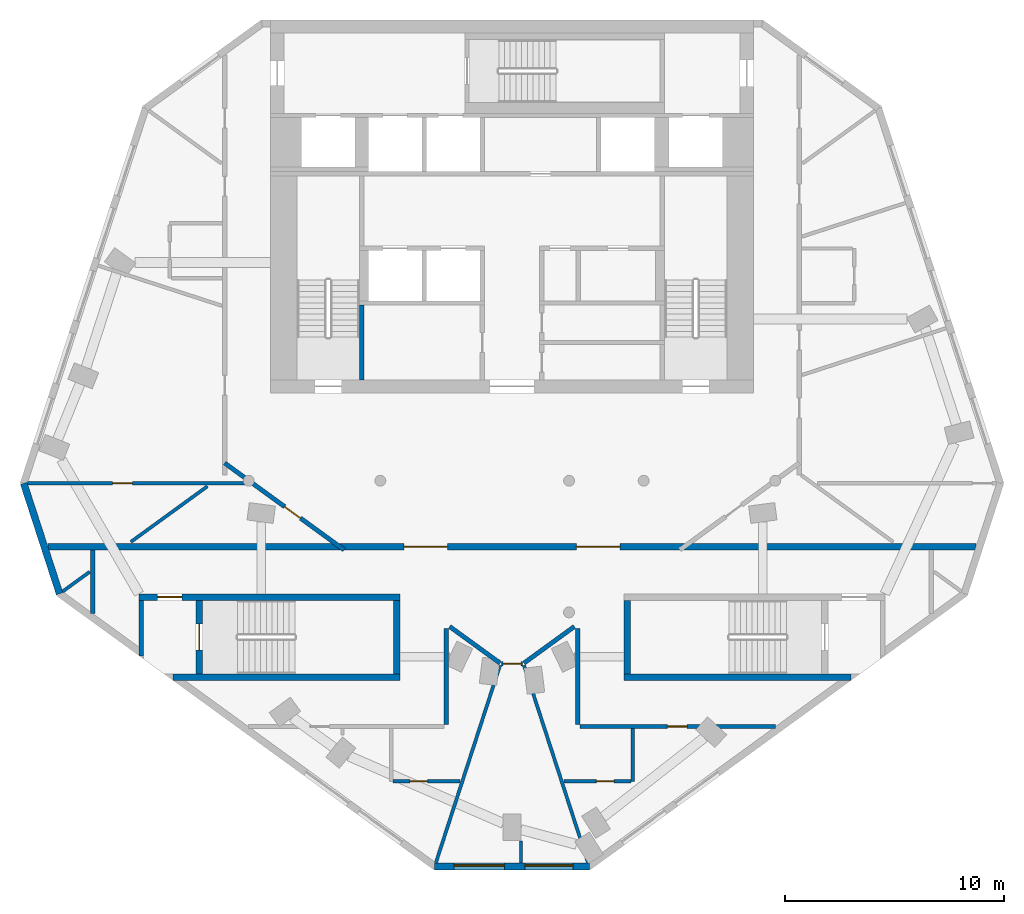
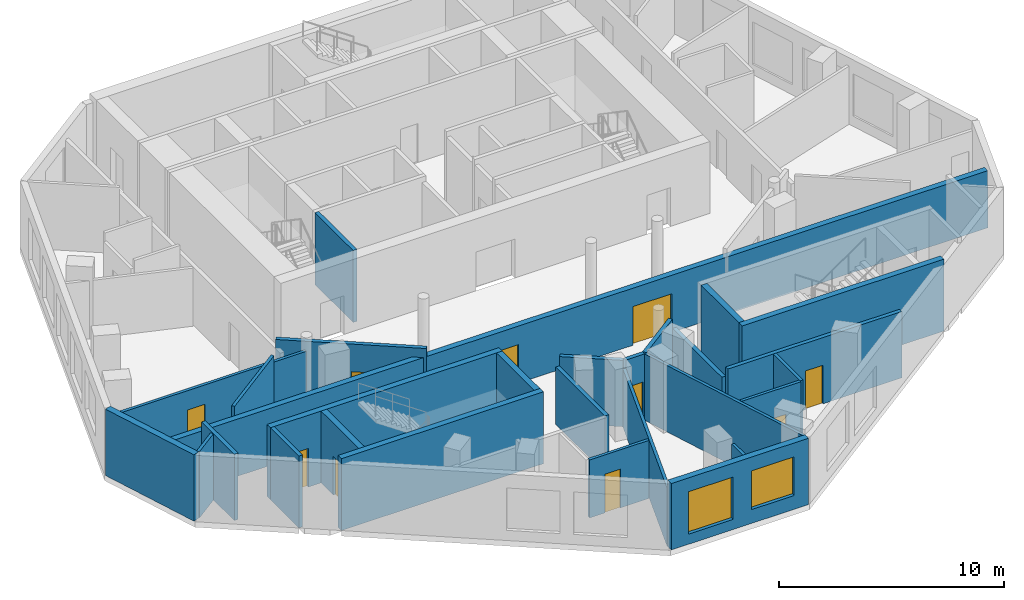
# One storey, part 2 of 8: 28 walls, 10 doors, 2 windows, 12 openings.
"""IFC4 building model written with IfcOpenShell, lengths in metres."""

from ifc_helpers import new_model, si_unit, direction, frame, frame_2d, origin, place, context, subcontext, project, spatial, rectangle, extrude, material, layer, layer_set, type_object, element, fill, save


model = new_model("IFC4")

# Units and contexts
model_context = context("Model", 3, precision=1e-05, world=origin(), true_north=direction((0.0, 1.0)))
body_context = subcontext(model_context, "Body", "Model", "MODEL_VIEW")
ifc_project = project(units=[si_unit("LENGTHUNIT", "METRE"), si_unit("AREAUNIT", "SQUARE_METRE"), si_unit("VOLUMEUNIT", "CUBIC_METRE"), si_unit("PLANEANGLEUNIT", "RADIAN"), si_unit("MASSUNIT", "GRAM", prefix="KILO")], contexts=[model_context])

# Site, building, storey
site_placement = place(None, origin())
site = spatial("IfcSite", under=ifc_project, at=site_placement, CompositionType="ELEMENT")
building_placement = place(site_placement, origin())
building = spatial("IfcBuilding", under=site, at=building_placement, Name="White Candle Pilgrim Tower", CompositionType="ELEMENT")
storey_placement = place(building_placement, frame((0.0, 0.0, 310.0)))
storey = spatial("IfcBuildingStorey", under=building, at=storey_placement, Name="L73", CompositionType="ELEMENT", Elevation=310.0)

# Walls
ifc_material_1 = material(Name="Concrete C40/50", Category="concrete")
ifc_layer_1 = layer(ifc_material_1, 0.199951171875)
ifc_layer_set_1 = layer_set([ifc_layer_1], Name="Core wall 200 mm Concrete C40/50")
wall_type_1 = type_object("IfcWallType", Name="Core wall 200 mm Concrete C40/50", PredefinedType="SHEAR", material=ifc_layer_set_1)
wall_1_placement = place(storey_placement, frame((53.10009765625, 59.023193359375, 0.0), z_axis=(0.0, 0.0, 1.0), x_axis=(0.0, 1.0, 0.0)))
element("IfcWall", 1, at=wall_1_placement, inside=storey, type_object=wall_type_1, Name="WL-L73-C07", PredefinedType="SHEAR", context=body_context, shape_type="SweptSolid", body=[
    extrude(rectangle(XDim=2.52685546875, YDim=0.199951171875, at=frame_2d((1.263427734375, 0.0))), origin(), (0.0, 0.0, 1.0), 3.89990234375),
])
ifc_material_2 = material(Name="Gypsum board on steel studs", Category="steel")
ifc_layer_2 = layer(ifc_material_2, 0.199951171875)
ifc_layer_set_2 = layer_set([ifc_layer_2], Name="Corridor wall 200 mm EI 45")
wall_type_2 = type_object("IfcWallType", Name="Corridor wall 200 mm EI 45", PredefinedType="PARTITIONING", material=ifc_layer_set_2)
wall_2_placement = place(storey_placement, frame((50.89990234375, 60.9443359375, 0.0), z_axis=(0.0, 0.0, 1.0), x_axis=(0.0, 1.0, 0.0)))
element("IfcWall", 2, at=wall_2_placement, inside=storey, type_object=wall_type_2, Name="WL-L73-P002", PredefinedType="PARTITIONING", context=body_context, shape_type="SweptSolid", body=[
    extrude(rectangle(XDim=2.90576171875, YDim=0.199951171875, at=frame_2d((1.452880859375, 0.0))), origin(), (0.0, 0.0, 1.0), 3.60009765625),
])

# Wall, opening, door
wall_3_placement = place(storey_placement, frame((62.3486328125, 63.85009765625, 0.0), z_axis=(0.0, 0.0, 1.0), x_axis=(-0.809033820778, 0.587762092038, 0.0)))
wall_3 = element("IfcWall", 3, at=wall_3_placement, inside=storey, type_object=wall_type_2, Name="WL-L73-P003", PredefinedType="PARTITIONING", context=body_context, shape_type="SweptSolid", body=[
    extrude(rectangle(XDim=6.73486328125, YDim=0.199951171875, at=frame_2d((3.367431640625, 0.0))), origin(), (0.0, 0.0, 1.0), 3.60009765625),
])
opening_1_placement = place(wall_3_placement, frame((2.44970703125, 0.0, 0.0)))
opening_1 = element("IfcOpeningElement", 4, at=opening_1_placement, cuts=wall_3, Name="Opening T22-119", PredefinedType="OPENING", context=body_context, shape_type="SweptSolid", body=[
    extrude(rectangle(XDim=0.89990234375, YDim=2.10009765625, at=frame_2d((0.449951171875, 1.050048828125))), frame((0.0, 0.10986328125, 0.0), z_axis=(0.0, -1.0, 0.0), x_axis=(1.0, 0.0, 0.0)), (0.0, 0.0, 1.0), 0.219970703125),
])
ifc_material_3 = material(Name="Steel door leaf", Category="steel")
door_type_1 = type_object("IfcDoorType", Name="Fire door 900 x 2100 EI 30", OperationType="NOTDEFINED", PredefinedType="DOOR", material=ifc_material_3)
door_1_placement = place(opening_1_placement, origin())
door_1 = element("IfcDoor", 5, at=door_1_placement, inside=storey, type_object=door_type_1, Name="Door T22-119", OperationType="SINGLE_SWING_LEFT", OverallHeight=2.10009765625, OverallWidth=0.89990234375, PredefinedType="DOOR", context=body_context, shape_type="SweptSolid", body=[
    extrude(rectangle(XDim=0.89990234375, YDim=2.10009765625, at=frame_2d((0.449951171875, 1.050048828125))), frame((0.0, 0.02490234375, 0.0), z_axis=(0.0, -1.0, 0.0), x_axis=(1.0, 0.0, 0.0)), (0.0, 0.0, 1.0), 0.050048828125),
])
fill(opening_1, door_1)

wall_4_placement = place(storey_placement, frame((82.019287109375, 55.800048828125, 0.0), z_axis=(0.0, 0.0, 1.0), x_axis=(-1.0, 0.0, 0.0)))
wall_4 = element("IfcWall", 6, at=wall_4_placement, inside=storey, type_object=wall_type_2, Name="WL-L73-P008", PredefinedType="PARTITIONING", context=body_context, shape_type="SweptSolid", body=[
    extrude(rectangle(XDim=8.919189453125, YDim=0.199951171875, at=frame_2d((4.45947265625, 0.0))), origin(), (0.0, 0.0, 1.0), 3.60009765625),
])
opening_2_placement = place(wall_4_placement, frame((4.0419921875, 0.0, 0.0)))
opening_2 = element("IfcOpeningElement", 7, at=opening_2_placement, cuts=wall_4, Name="Opening T22-106", PredefinedType="OPENING", context=body_context, shape_type="SweptSolid", body=[
    extrude(rectangle(XDim=0.89990234375, YDim=2.10009765625, at=frame_2d((0.449951171875, 1.050048828125))), frame((0.0, 0.10986328125, 0.0), z_axis=(0.0, -1.0, 0.0), x_axis=(1.0, 0.0, 0.0)), (0.0, 0.0, 1.0), 0.219970703125),
])
door_2_placement = place(opening_2_placement, origin())
door_2 = element("IfcDoor", 8, at=door_2_placement, inside=storey, type_object=door_type_1, Name="Door T22-106", OperationType="SINGLE_SWING_RIGHT", OverallHeight=2.10009765625, OverallWidth=0.89990234375, PredefinedType="DOOR", context=body_context, shape_type="SweptSolid", body=[
    extrude(rectangle(XDim=0.89990234375, YDim=2.10009765625, at=frame_2d((0.449951171875, 1.050048828125))), frame((0.0, 0.02490234375, 0.0), z_axis=(0.0, -1.0, 0.0), x_axis=(1.0, 0.0, 0.0)), (0.0, 0.0, 1.0), 0.050048828125),
])
fill(opening_2, door_2)

# Walls
wall_5_placement = place(storey_placement, frame((73.0, 55.89990234375, 0.0), z_axis=(0.0, 0.0, 1.0), x_axis=(0.0, 1.0, 0.0)))
element("IfcWall", 9, at=wall_5_placement, inside=storey, type_object=wall_type_2, Name="WL-L73-P009", PredefinedType="PARTITIONING", context=body_context, shape_type="SweptSolid", body=[
    extrude(rectangle(XDim=4.37451171875, YDim=0.199951171875, at=frame_2d((2.187255859375, 0.0))), origin(), (0.0, 0.0, 1.0), 3.10009765625),
])
wall_6_placement = place(storey_placement, frame((72.84130859375, 60.355224609375, 0.0), z_axis=(0.0, 0.0, 1.0), x_axis=(-0.80904479074, -0.587746991976, 0.0)))
element("IfcWall", 10, at=wall_6_placement, inside=storey, type_object=wall_type_2, Name="WL-L73-P010", PredefinedType="PARTITIONING", context=body_context, shape_type="SweptSolid", body=[
    extrude(rectangle(XDim=2.83740234375, YDim=0.199951171875, at=frame_2d((1.418701171875, 0.0))), origin(), (0.0, 0.0, 1.0), 3.60009765625),
])

# Wall, opening, door
wall_7_placement = place(storey_placement, frame((70.48681640625, 58.668212890625, 0.0), z_axis=(0.0, 0.0, 1.0), x_axis=(-1.0, 0.0, 0.0)))
wall_7 = element("IfcWall", 11, at=wall_7_placement, inside=storey, type_object=wall_type_2, Name="WL-L73-P011", PredefinedType="PARTITIONING", context=body_context, shape_type="SweptSolid", body=[
    extrude(rectangle(XDim=0.9736328125, YDim=0.199951171875, at=frame_2d((0.48681640625, 0.0))), origin(), (0.0, 0.0, 1.0), 3.60009765625),
])
opening_3_placement = place(wall_7_placement, frame((0.0869140625, 0.0, 0.0)))
opening_3 = element("IfcOpeningElement", 12, at=opening_3_placement, cuts=wall_7, Name="Opening T22-104", PredefinedType="OPENING", context=body_context, shape_type="SweptSolid", body=[
    extrude(rectangle(XDim=0.800048828125, YDim=2.10009765625, at=frame_2d((0.39990234375, 1.050048828125))), frame((0.0, 0.10986328125, 0.0), z_axis=(0.0, -1.0, 0.0), x_axis=(1.0, 0.0, 0.0)), (0.0, 0.0, 1.0), 0.219970703125),
])
door_type_2 = type_object("IfcDoorType", Name="Fire door 800 x 2100 EI 30", OperationType="NOTDEFINED", PredefinedType="DOOR", material=ifc_material_3)
door_3_placement = place(opening_3_placement, origin())
door_3 = element("IfcDoor", 13, at=door_3_placement, inside=storey, type_object=door_type_2, Name="Door T22-104", OperationType="SINGLE_SWING_RIGHT", OverallHeight=2.10009765625, OverallWidth=0.800048828125, PredefinedType="DOOR", context=body_context, shape_type="SweptSolid", body=[
    extrude(rectangle(XDim=0.800048828125, YDim=2.10009765625, at=frame_2d((0.39990234375, 1.050048828125))), frame((0.0, 0.02490234375, 0.0), z_axis=(0.0, -1.0, 0.0), x_axis=(1.0, 0.0, 0.0)), (0.0, 0.0, 1.0), 0.050048828125),
])
fill(opening_3, door_3)

# Walls
wall_8_placement = place(storey_placement, frame((69.454345703125, 58.6875, 0.0), z_axis=(0.0, 0.0, 1.0), x_axis=(-0.80904479074, 0.587746991976, 0.0)))
element("IfcWall", 14, at=wall_8_placement, inside=storey, type_object=wall_type_2, Name="WL-L73-P012", PredefinedType="PARTITIONING", context=body_context, shape_type="SweptSolid", body=[
    extrude(rectangle(XDim=2.83740234375, YDim=0.199951171875, at=frame_2d((1.418701171875, 0.0))), origin(), (0.0, 0.0, 1.0), 3.60009765625),
])
wall_9_placement = place(storey_placement, frame((67.0, 60.2744140625, 0.0), z_axis=(0.0, 0.0, 1.0), x_axis=(0.0, -1.0, 0.0)))
element("IfcWall", 15, at=wall_9_placement, inside=storey, type_object=wall_type_2, Name="WL-L73-P013", PredefinedType="PARTITIONING", context=body_context, shape_type="SweptSolid", body=[
    extrude(rectangle(XDim=4.37451171875, YDim=0.199951171875, at=frame_2d((2.187255859375, 0.0))), origin(), (0.0, 0.0, 1.0), 3.10009765625),
])
ifc_material_4 = material(Name="Precast concrete C40/50", Category="concrete")
ifc_layer_3 = layer(ifc_material_4, 0.320068359375)
ifc_layer_set_3 = layer_set([ifc_layer_3], Name="Facade wall EW1 precast concrete C40/50 pier wall with timber-lined reveals")
wall_type_3 = type_object("IfcWallType", Name="Facade wall EW1 precast concrete C40/50 pier wall with timber-lined reveals", PredefinedType="SOLIDWALL", material=ifc_layer_set_3)
wall_10_placement = place(storey_placement, frame((47.744140625, 66.8837890625, 0.0), z_axis=(0.0, 0.0, 1.0), x_axis=(0.30904851291, -0.951046274725, 0.0)))
element("IfcWall", 16, at=wall_10_placement, inside=storey, type_object=wall_type_3, Name="Facade wall L73 W chamfer", PredefinedType="SOLIDWALL", context=body_context, shape_type="SweptSolid", body=[
    extrude(rectangle(XDim=5.291259765625, YDim=0.320068359375, at=frame_2d((2.6455078125, 0.0))), origin(), (0.0, 0.0, 1.0), 3.60009765625),
])

# Wall, openings, windows
wall_11_placement = place(storey_placement, frame((66.478515625, 49.42822265625, 0.0), z_axis=(0.0, 0.0, 1.0), x_axis=(1.0, 0.0, 0.0)))
wall_11 = element("IfcWall", 17, at=wall_11_placement, inside=storey, type_object=wall_type_3, Name="Facade wall L73 S chamfer", PredefinedType="SOLIDWALL", context=body_context, shape_type="SweptSolid", body=[
    extrude(rectangle(XDim=7.04296875, YDim=0.320068359375, at=frame_2d((3.521484375, 0.0))), origin(), (0.0, 0.0, 1.0), 3.60009765625),
])
opening_4_placement = place(wall_11_placement, frame((0.87158203125, 0.0, 0.550048828125)))
opening_4 = element("IfcOpeningElement", 18, at=opening_4_placement, cuts=wall_11, Name="Opening W6", PredefinedType="OPENING", context=body_context, shape_type="SweptSolid", body=[
    extrude(rectangle(XDim=2.300048828125, YDim=2.300048828125, at=frame_2d((1.14990234375, 1.14990234375))), frame((0.0, 0.169921875, 0.0), z_axis=(0.0, -1.0, 0.0), x_axis=(1.0, 0.0, 0.0)), (0.0, 0.0, 1.0), 0.340087890625),
])
opening_5_placement = place(wall_11_placement, frame((4.106689453125, 0.0, 0.75)))
opening_5 = element("IfcOpeningElement", 19, at=opening_5_placement, cuts=wall_11, Name="Opening W4", PredefinedType="OPENING", context=body_context, shape_type="SweptSolid", body=[
    extrude(rectangle(XDim=2.199951171875, YDim=2.10009765625, at=frame_2d((1.10009765625, 1.050048828125))), frame((0.0, 0.169921875, 0.0), z_axis=(0.0, -1.0, 0.0), x_axis=(1.0, 0.0, 0.0)), (0.0, 0.0, 1.0), 0.340087890625),
])
ifc_material_5 = material(Name="Timber frame with triple glazing", Category="wood")
window_type_1 = type_object("IfcWindowType", Name="Window W4 2200x2100 timber frame triple glazing", PartitioningType="SINGLE_PANEL", PredefinedType="WINDOW", material=ifc_material_5)
window_1_placement = place(opening_5_placement, origin())
window_1 = element("IfcWindow", 20, at=window_1_placement, inside=storey, type_object=window_type_1, Name="Window W4 L73 S chamfer 2", OverallHeight=2.10009765625, OverallWidth=2.199951171875, PartitioningType="SINGLE_PANEL", PredefinedType="WINDOW", context=body_context, shape_type="SweptSolid", body=[
    extrude(rectangle(XDim=2.199951171875, YDim=2.10009765625, at=frame_2d((1.10009765625, 1.050048828125))), frame((0.0, 0.070068359375, 0.0), z_axis=(0.0, -1.0, 0.0), x_axis=(1.0, 0.0, 0.0)), (0.0, 0.0, 1.0), 0.06005859375),
])
fill(opening_5, window_1)
window_type_2 = type_object("IfcWindowType", Name="Window W6 2300x2300 timber frame triple glazing", PartitioningType="SINGLE_PANEL", PredefinedType="WINDOW", material=ifc_material_5)
window_2_placement = place(opening_4_placement, origin())
window_2 = element("IfcWindow", 21, at=window_2_placement, inside=storey, type_object=window_type_2, Name="Window W6 L73 S chamfer 1", OverallHeight=2.300048828125, OverallWidth=2.300048828125, PartitioningType="SINGLE_PANEL", PredefinedType="WINDOW", context=body_context, shape_type="SweptSolid", body=[
    extrude(rectangle(XDim=2.300048828125, YDim=2.300048828125, at=frame_2d((1.14990234375, 1.14990234375))), frame((0.0, 0.070068359375, 0.0), z_axis=(0.0, -1.0, 0.0), x_axis=(1.0, 0.0, 0.0)), (0.0, 0.0, 1.0), 0.06005859375),
])
fill(opening_4, window_2)

# Wall, openings, doors
ifc_material_6 = material(Name="Aerated concrete block", Category="concrete")
ifc_layer_4 = layer(ifc_material_6, 0.300048828125)
ifc_layer_set_4 = layer_set([ifc_layer_4], Name="Fire wall 300 mm REI 240")
wall_type_4 = type_object("IfcWallType", Name="Fire wall 300 mm REI 240", PredefinedType="PARTITIONING", material=ifc_layer_set_4)
wall_12_placement = place(storey_placement, frame((48.849609375, 64.0, 0.0), z_axis=(0.0, 0.0, 1.0), x_axis=(1.0, 0.0, 0.0)))
wall_12 = element("IfcWall", 22, at=wall_12_placement, inside=storey, type_object=wall_type_4, Name="WL-L73-P001", PredefinedType="PARTITIONING", context=body_context, shape_type="SweptSolid", body=[
    extrude(rectangle(XDim=42.30078125, YDim=0.300048828125, at=frame_2d((21.150390625, 0.0))), origin(), (0.0, 0.0, 1.0), 3.10009765625),
])
opening_6_placement = place(wall_12_placement, frame((16.2216796875, 0.0, 0.0)))
opening_6 = element("IfcOpeningElement", 23, at=opening_6_placement, cuts=wall_12, Name="Opening T22-108", PredefinedType="OPENING", context=body_context, shape_type="SweptSolid", body=[
    extrude(rectangle(XDim=2.0, YDim=2.10009765625, at=frame_2d((1.0, 1.050048828125))), frame((0.0, 0.159912109375, 0.0), z_axis=(0.0, -1.0, 0.0), x_axis=(1.0, 0.0, 0.0)), (0.0, 0.0, 1.0), 0.320068359375),
])
opening_7_placement = place(wall_12_placement, frame((24.079345703125, 0.0, 0.0)))
opening_7 = element("IfcOpeningElement", 24, at=opening_7_placement, cuts=wall_12, Name="Opening T22-109", PredefinedType="OPENING", context=body_context, shape_type="SweptSolid", body=[
    extrude(rectangle(XDim=2.0, YDim=2.10009765625, at=frame_2d((1.0, 1.050048828125))), frame((0.0, 0.159912109375, 0.0), z_axis=(0.0, -1.0, 0.0), x_axis=(1.0, 0.0, 0.0)), (0.0, 0.0, 1.0), 0.320068359375),
])
door_type_3 = type_object("IfcDoorType", Name="Fire door 2000 x 2100 EI 60", OperationType="NOTDEFINED", PredefinedType="DOOR", material=ifc_material_3)
door_4_placement = place(opening_6_placement, origin())
door_4 = element("IfcDoor", 25, at=door_4_placement, inside=storey, type_object=door_type_3, Name="Door T22-108", OperationType="DOUBLE_DOOR_SINGLE_SWING", OverallHeight=2.10009765625, OverallWidth=2.0, PredefinedType="DOOR", context=body_context, shape_type="SweptSolid", body=[
    extrude(rectangle(XDim=2.0, YDim=2.10009765625, at=frame_2d((1.0, 1.050048828125))), frame((0.0, 0.02490234375, 0.0), z_axis=(0.0, -1.0, 0.0), x_axis=(1.0, 0.0, 0.0)), (0.0, 0.0, 1.0), 0.050048828125),
])
fill(opening_6, door_4)
door_5_placement = place(opening_7_placement, origin())
door_5 = element("IfcDoor", 26, at=door_5_placement, inside=storey, type_object=door_type_3, Name="Door T22-109", OperationType="DOUBLE_DOOR_SINGLE_SWING", OverallHeight=2.10009765625, OverallWidth=2.0, PredefinedType="DOOR", context=body_context, shape_type="SweptSolid", body=[
    extrude(rectangle(XDim=2.0, YDim=2.10009765625, at=frame_2d((1.0, 1.050048828125))), frame((0.0, 0.02490234375, 0.0), z_axis=(0.0, -1.0, 0.0), x_axis=(1.0, 0.0, 0.0)), (0.0, 0.0, 1.0), 0.050048828125),
])
fill(opening_7, door_5)

# Wall, opening, door
ifc_layer_5 = layer(ifc_material_2, 0.14990234375)
ifc_layer_set_5 = layer_set([ifc_layer_5], Name="Partition 150 mm EI 60")
wall_type_5 = type_object("IfcWallType", Name="Partition 150 mm EI 60", PredefinedType="PARTITIONING", material=ifc_layer_set_5)
wall_13_placement = place(storey_placement, frame((47.91259765625, 66.8837890625, 0.0), z_axis=(0.0, 0.0, 1.0), x_axis=(1.0, 0.0, 0.0)))
wall_13 = element("IfcWall", 27, at=wall_13_placement, inside=storey, type_object=wall_type_5, Name="WL-L73-P016", PredefinedType="PARTITIONING", context=body_context, shape_type="SweptSolid", body=[
    extrude(rectangle(XDim=9.987060546875, YDim=0.14990234375, at=frame_2d((4.99365234375, 0.0))), origin(), (0.0, 0.0, 1.0), 3.14990234375),
])
opening_8_placement = place(wall_13_placement, frame((3.8798828125, 0.0, 0.0)))
opening_8 = element("IfcOpeningElement", 28, at=opening_8_placement, cuts=wall_13, Name="Opening T22-120", PredefinedType="OPENING", context=body_context, shape_type="SweptSolid", body=[
    extrude(rectangle(XDim=0.89990234375, YDim=2.10009765625, at=frame_2d((0.449951171875, 1.050048828125))), frame((0.0, 0.0849609375, 0.0), z_axis=(0.0, -1.0, 0.0), x_axis=(1.0, 0.0, 0.0)), (0.0, 0.0, 1.0), 0.169921875),
])
door_6_placement = place(opening_8_placement, frame((0.89990234375, 0.0, 0.0), z_axis=(0.0, 0.0, 1.0), x_axis=(-1.0, 0.0, 0.0)))
door_6 = element("IfcDoor", 29, at=door_6_placement, inside=storey, type_object=door_type_1, Name="Door T22-120", OperationType="SINGLE_SWING_LEFT", OverallHeight=2.10009765625, OverallWidth=0.89990234375, PredefinedType="DOOR", context=body_context, shape_type="SweptSolid", body=[
    extrude(rectangle(XDim=0.89990234375, YDim=2.10009765625, at=frame_2d((0.449951171875, 1.050048828125))), frame((0.0, 0.02490234375, 0.0), z_axis=(0.0, -1.0, 0.0), x_axis=(1.0, 0.0, 0.0)), (0.0, 0.0, 1.0), 0.050048828125),
])
fill(opening_8, door_6)

# Walls
wall_14_placement = place(storey_placement, frame((49.515380859375, 61.950439453125, 0.0), z_axis=(0.0, 0.0, 1.0), x_axis=(0.809059590881, 0.587726618764, 0.0)))
element("IfcWall", 30, at=wall_14_placement, inside=storey, type_object=wall_type_5, Name="WL-L73-P017", PredefinedType="PARTITIONING", context=body_context, shape_type="SweptSolid", body=[
    extrude(rectangle(XDim=1.533203125, YDim=0.14990234375, at=frame_2d((0.7666015625, 0.0))), origin(), (0.0, 0.0, 1.0), 3.60009765625),
])
wall_15_placement = place(storey_placement, frame((52.62646484375, 64.210693359375, 0.0), z_axis=(0.0, 0.0, 1.0), x_axis=(0.809014773285, 0.587788309348, 0.0)))
element("IfcWall", 31, at=wall_15_placement, inside=storey, type_object=wall_type_5, Name="WL-L73-P018", PredefinedType="PARTITIONING", context=body_context, shape_type="SweptSolid", body=[
    extrude(rectangle(XDim=4.317138671875, YDim=0.14990234375, at=frame_2d((2.15869140625, 0.0))), origin(), (0.0, 0.0, 1.0), 3.60009765625),
])
wall_16_placement = place(storey_placement, frame((66.530517578125, 49.58837890625, 0.0), z_axis=(0.0, 0.0, 1.0), x_axis=(0.3090043917, 0.95106061106, 0.0)))
element("IfcWall", 32, at=wall_16_placement, inside=storey, type_object=wall_type_5, Name="WL-L73-P019", PredefinedType="PARTITIONING", context=body_context, shape_type="SweptSolid", body=[
    extrude(rectangle(XDim=9.462158203125, YDim=0.14990234375, at=frame_2d((4.73095703125, 0.0))), origin(), (0.0, 0.0, 1.0), 3.14990234375),
])
wall_17_placement = place(storey_placement, frame((73.469482421875, 49.58837890625, 0.0), z_axis=(0.0, 0.0, 1.0), x_axis=(-0.3090043917, 0.95106061106, 0.0)))
element("IfcWall", 33, at=wall_17_placement, inside=storey, type_object=wall_type_5, Name="WL-L73-P020", PredefinedType="PARTITIONING", context=body_context, shape_type="SweptSolid", body=[
    extrude(rectangle(XDim=9.462158203125, YDim=0.14990234375, at=frame_2d((4.73095703125, 0.0))), origin(), (0.0, 0.0, 1.0), 3.60009765625),
])

# Wall, opening, door
wall_18_placement = place(storey_placement, frame((67.63330078125, 53.300048828125, 0.0), z_axis=(0.0, 0.0, 1.0), x_axis=(-1.0, 0.0, 0.0)))
wall_18 = element("IfcWall", 34, at=wall_18_placement, inside=storey, type_object=wall_type_5, Name="WL-L73-P030", PredefinedType="PARTITIONING", context=body_context, shape_type="SweptSolid", body=[
    extrude(rectangle(XDim=3.058349609375, YDim=0.14990234375, at=frame_2d((1.529296875, 0.0))), origin(), (0.0, 0.0, 1.0), 3.14990234375),
])
opening_9_placement = place(wall_18_placement, frame((1.483154296875, 0.0, 0.0)))
opening_9 = element("IfcOpeningElement", 35, at=opening_9_placement, cuts=wall_18, Name="Opening T22-102", PredefinedType="OPENING", context=body_context, shape_type="SweptSolid", body=[
    extrude(rectangle(XDim=0.800048828125, YDim=2.10009765625, at=frame_2d((0.39990234375, 1.050048828125))), frame((0.0, 0.0849609375, 0.0), z_axis=(0.0, -1.0, 0.0), x_axis=(1.0, 0.0, 0.0)), (0.0, 0.0, 1.0), 0.169921875),
])
door_7_placement = place(opening_9_placement, origin())
door_7 = element("IfcDoor", 36, at=door_7_placement, inside=storey, type_object=door_type_2, Name="Door T22-102", OperationType="SINGLE_SWING_RIGHT", OverallHeight=2.10009765625, OverallWidth=0.800048828125, PredefinedType="DOOR", context=body_context, shape_type="SweptSolid", body=[
    extrude(rectangle(XDim=0.800048828125, YDim=2.10009765625, at=frame_2d((0.39990234375, 1.050048828125))), frame((0.0, 0.02490234375, 0.0), z_axis=(0.0, -1.0, 0.0), x_axis=(1.0, 0.0, 0.0)), (0.0, 0.0, 1.0), 0.050048828125),
])
fill(opening_9, door_7)

# Wall
wall_19_placement = place(storey_placement, frame((75.5, 55.699951171875, 0.0), z_axis=(0.0, 0.0, 1.0), x_axis=(0.0, -1.0, 0.0)))
element("IfcWall", 37, at=wall_19_placement, inside=storey, type_object=wall_type_5, Name="WL-L73-P031", PredefinedType="PARTITIONING", context=body_context, shape_type="SweptSolid", body=[
    extrude(rectangle(XDim=2.39990234375, YDim=0.14990234375, at=frame_2d((1.199951171875, 0.0))), origin(), (0.0, 0.0, 1.0), 3.60009765625),
])

# Wall, opening, door
wall_20_placement = place(storey_placement, frame((72.36669921875, 53.300048828125, 0.0), z_axis=(0.0, 0.0, 1.0), x_axis=(1.0, 0.0, 0.0)))
wall_20 = element("IfcWall", 38, at=wall_20_placement, inside=storey, type_object=wall_type_5, Name="WL-L73-P032", PredefinedType="PARTITIONING", context=body_context, shape_type="SweptSolid", body=[
    extrude(rectangle(XDim=3.058349609375, YDim=0.14990234375, at=frame_2d((1.529296875, 0.0))), origin(), (0.0, 0.0, 1.0), 3.60009765625),
])
opening_10_placement = place(wall_20_placement, frame((1.483154296875, 0.0, 0.0)))
opening_10 = element("IfcOpeningElement", 39, at=opening_10_placement, cuts=wall_20, Name="Opening T22-105", PredefinedType="OPENING", context=body_context, shape_type="SweptSolid", body=[
    extrude(rectangle(XDim=0.800048828125, YDim=2.10009765625, at=frame_2d((0.39990234375, 1.050048828125))), frame((0.0, 0.0849609375, 0.0), z_axis=(0.0, -1.0, 0.0), x_axis=(1.0, 0.0, 0.0)), (0.0, 0.0, 1.0), 0.169921875),
])
door_8_placement = place(opening_10_placement, frame((0.800048828125, 0.0, 0.0), z_axis=(0.0, 0.0, 1.0), x_axis=(-1.0, 0.0, 0.0)))
door_8 = element("IfcDoor", 40, at=door_8_placement, inside=storey, type_object=door_type_2, Name="Door T22-105", OperationType="SINGLE_SWING_RIGHT", OverallHeight=2.10009765625, OverallWidth=0.800048828125, PredefinedType="DOOR", context=body_context, shape_type="SweptSolid", body=[
    extrude(rectangle(XDim=0.800048828125, YDim=2.10009765625, at=frame_2d((0.39990234375, 1.050048828125))), frame((0.0, 0.02490234375, 0.0), z_axis=(0.0, -1.0, 0.0), x_axis=(1.0, 0.0, 0.0)), (0.0, 0.0, 1.0), 0.050048828125),
])
fill(opening_10, door_8)

# Walls
wall_21_placement = place(storey_placement, frame((70.409912109375, 50.580078125, 0.0), z_axis=(0.0, 0.0, 1.0), x_axis=(0.0, -1.0, 0.0)))
element("IfcWall", 41, at=wall_21_placement, inside=storey, type_object=wall_type_5, Name="WL-L73-P039", PredefinedType="PARTITIONING", context=body_context, shape_type="SweptSolid", body=[
    extrude(rectangle(XDim=0.99169921875, YDim=0.14990234375, at=frame_2d((0.495849609375, 0.0))), origin(), (0.0, 0.0, 1.0), 3.60009765625),
])
ifc_layer_6 = layer(ifc_material_1, 0.199951171875)
ifc_layer_set_6 = layer_set([ifc_layer_6], Name="Stair shaft wall 200 mm Concrete C40/50")
wall_type_6 = type_object("IfcWallType", Name="Stair shaft wall 200 mm Concrete C40/50", PredefinedType="SHEAR", material=ifc_layer_set_6)
wall_22_placement = place(storey_placement, frame((63.14990234375, 71.60009765625, 0.0), z_axis=(0.0, 0.0, 1.0), x_axis=(0.0, 1.0, 0.0)))
element("IfcWall", 42, at=wall_22_placement, inside=storey, type_object=wall_type_6, Name="WL-L73-C13", PredefinedType="SHEAR", context=body_context, shape_type="SweptSolid", body=[
    extrude(rectangle(XDim=3.39990234375, YDim=0.199951171875, at=frame_2d((1.699951171875, 0.0))), origin(), (0.0, 0.0, 1.0), 3.89990234375),
])
ifc_layer_7 = layer(ifc_material_1, 0.300048828125)
ifc_layer_set_7 = layer_set([ifc_layer_7], Name="Stair shaft wall 300 mm Concrete C40/50")
wall_type_7 = type_object("IfcWallType", Name="Stair shaft wall 300 mm Concrete C40/50", PredefinedType="SHEAR", material=ifc_layer_set_7)
for number, where, z_axis, x_axis, name in (
    (43, (54.5458984375, 58.050048828125, 0.0), (0.0, 0.0, 1.0), (1.0, 0.0, 0.0), "WL-L73-C01"),
    (44, (75.10009765625, 58.050048828125, 0.0), (0.0, 0.0, 1.0), (1.0, 0.0, 0.0), "WL-L73-C02"),
):
    element("IfcWall", number, at=place(storey_placement, frame(where, z_axis=z_axis, x_axis=x_axis)), inside=storey, type_object=wall_type_7, Name=name, PredefinedType="SHEAR", context=body_context, shape_type="SweptSolid", body=[
        extrude(rectangle(XDim=10.35400390625, YDim=0.300048828125, at=frame_2d((5.177001953125, 0.0))), origin(), (0.0, 0.0, 1.0), 3.89990234375),
    ])

# Wall, opening, door
wall_23_placement = place(storey_placement, frame((55.75, 58.199951171875, 0.0), z_axis=(0.0, 0.0, 1.0), x_axis=(0.0, 1.0, 0.0)))
wall_23 = element("IfcWall", 45, at=wall_23_placement, inside=storey, type_object=wall_type_7, Name="WL-L73-C03", PredefinedType="SHEAR", context=body_context, shape_type="SweptSolid", body=[
    extrude(rectangle(XDim=3.35009765625, YDim=0.300048828125, at=frame_2d((1.675048828125, 0.0))), origin(), (0.0, 0.0, 1.0), 3.89990234375),
])
opening_11_placement = place(wall_23_placement, frame((1.074951171875, 0.0, 0.0)))
opening_11 = element("IfcOpeningElement", 46, at=opening_11_placement, cuts=wall_23, Name="Opening T22-011", PredefinedType="OPENING", context=body_context, shape_type="SweptSolid", body=[
    extrude(rectangle(XDim=1.199951171875, YDim=2.10009765625, at=frame_2d((0.60009765625, 1.050048828125))), frame((0.0, 0.159912109375, 0.0), z_axis=(0.0, -1.0, 0.0), x_axis=(1.0, 0.0, 0.0)), (0.0, 0.0, 1.0), 0.320068359375),
])
door_type_4 = type_object("IfcDoorType", Name="Fire door 1200 x 2100 EI 60", OperationType="NOTDEFINED", PredefinedType="DOOR", material=ifc_material_3)
door_9_placement = place(opening_11_placement, frame((1.199951171875, 0.0, 0.0), z_axis=(0.0, 0.0, 1.0), x_axis=(-1.0, 0.0, 0.0)))
door_9 = element("IfcDoor", 47, at=door_9_placement, inside=storey, type_object=door_type_4, Name="Door T22-011", OperationType="SINGLE_SWING_RIGHT", OverallHeight=2.10009765625, OverallWidth=1.199951171875, PredefinedType="DOOR", context=body_context, shape_type="SweptSolid", body=[
    extrude(rectangle(XDim=1.199951171875, YDim=2.10009765625, at=frame_2d((0.60009765625, 1.050048828125))), frame((0.0, 0.02490234375, 0.0), z_axis=(0.0, -1.0, 0.0), x_axis=(1.0, 0.0, 0.0)), (0.0, 0.0, 1.0), 0.050048828125),
])
fill(opening_11, door_9)

# Walls
for number, where, z_axis, x_axis, name in (
    (48, (64.75, 58.199951171875, 0.0), (0.0, 0.0, 1.0), (0.0, 1.0, 0.0), "WL-L73-C04"),
    (49, (75.25, 58.199951171875, 0.0), (0.0, 0.0, 1.0), (0.0, 1.0, 0.0), "WL-L73-C05"),
):
    element("IfcWall", number, at=place(storey_placement, frame(where, z_axis=z_axis, x_axis=x_axis)), inside=storey, type_object=wall_type_7, Name=name, PredefinedType="SHEAR", context=body_context, shape_type="SweptSolid", body=[
        extrude(rectangle(XDim=3.35009765625, YDim=0.300048828125, at=frame_2d((1.675048828125, 0.0))), origin(), (0.0, 0.0, 1.0), 3.89990234375),
    ])

# Wall, opening, door
wall_24_placement = place(storey_placement, frame((53.0, 61.699951171875, 0.0), z_axis=(0.0, 0.0, 1.0), x_axis=(1.0, 0.0, 0.0)))
wall_24 = element("IfcWall", 50, at=wall_24_placement, inside=storey, type_object=wall_type_7, Name="WL-L73-C09", PredefinedType="SHEAR", context=body_context, shape_type="SweptSolid", body=[
    extrude(rectangle(XDim=11.89990234375, YDim=0.300048828125, at=frame_2d((5.949951171875, 0.0))), origin(), (0.0, 0.0, 1.0), 3.89990234375),
])
opening_12_placement = place(wall_24_placement, frame((0.85009765625, 0.0, 0.0)))
opening_12 = element("IfcOpeningElement", 51, at=opening_12_placement, cuts=wall_24, Name="Opening T22-010", PredefinedType="OPENING", context=body_context, shape_type="SweptSolid", body=[
    extrude(rectangle(XDim=1.10009765625, YDim=2.10009765625, at=frame_2d((0.550048828125, 1.050048828125))), frame((0.0, 0.159912109375, 0.0), z_axis=(0.0, -1.0, 0.0), x_axis=(1.0, 0.0, 0.0)), (0.0, 0.0, 1.0), 0.320068359375),
])
door_type_5 = type_object("IfcDoorType", Name="Fire door 1100 x 2100 EI 60", OperationType="NOTDEFINED", PredefinedType="DOOR", material=ifc_material_3)
door_10_placement = place(opening_12_placement, frame((1.10009765625, 0.0, 0.0), z_axis=(0.0, 0.0, 1.0), x_axis=(-1.0, 0.0, 0.0)))
door_10 = element("IfcDoor", 52, at=door_10_placement, inside=storey, type_object=door_type_5, Name="Door T22-010", OperationType="SINGLE_SWING_LEFT", OverallHeight=2.10009765625, OverallWidth=1.10009765625, PredefinedType="DOOR", context=body_context, shape_type="SweptSolid", body=[
    extrude(rectangle(XDim=1.10009765625, YDim=2.10009765625, at=frame_2d((0.550048828125, 1.050048828125))), frame((0.0, 0.02490234375, 0.0), z_axis=(0.0, -1.0, 0.0), x_axis=(1.0, 0.0, 0.0)), (0.0, 0.0, 1.0), 0.050048828125),
])
fill(opening_12, door_10)

save(model, "model.ifc")
